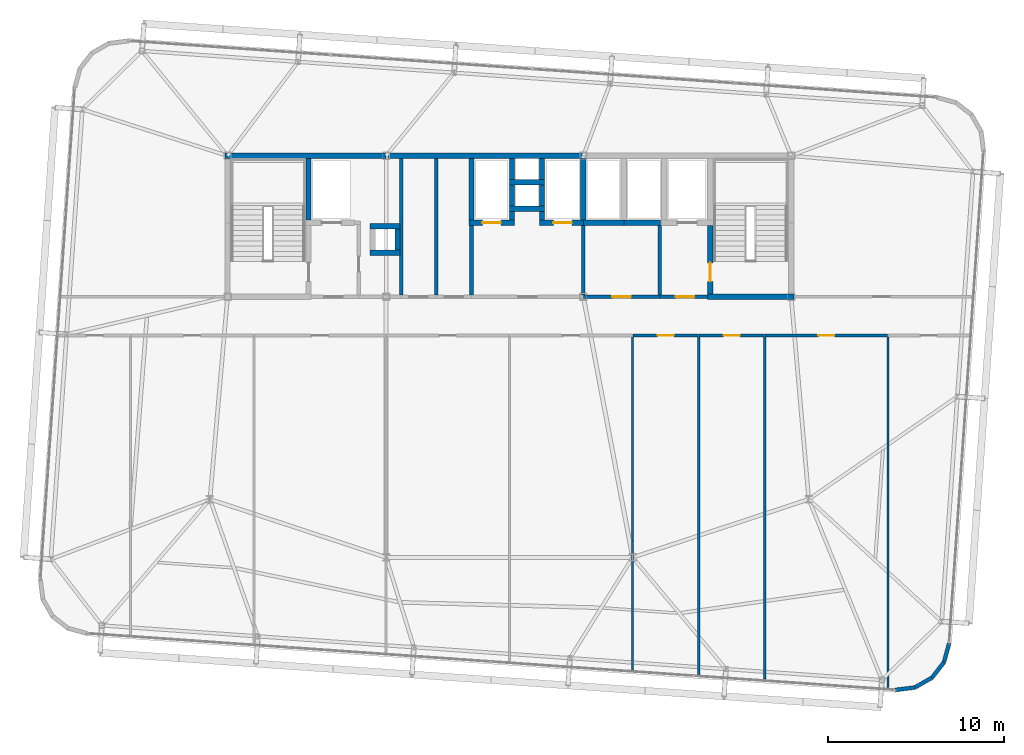
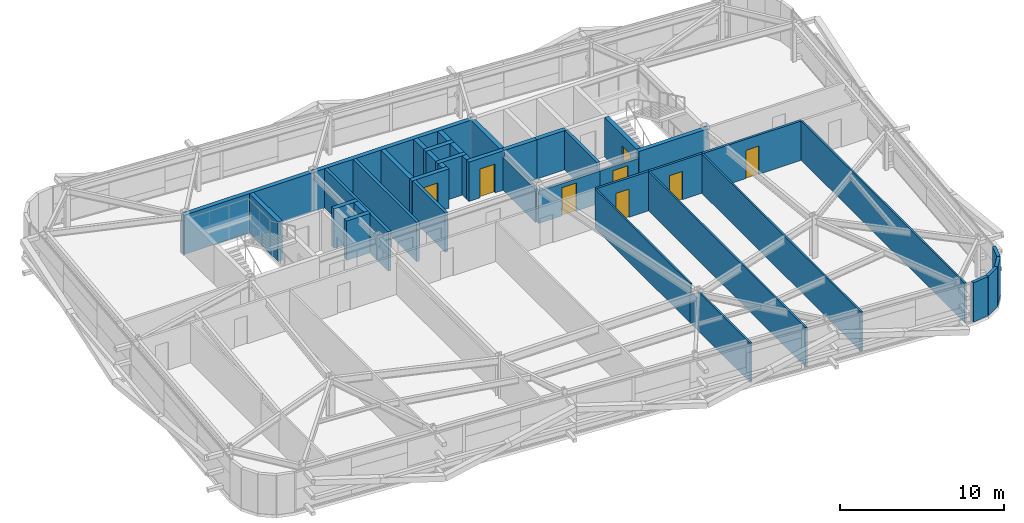
# One storey, part 36 of 39: 42 walls, 8 doors, 8 openings.
"""IFC4 building model written with IfcOpenShell, lengths in metres."""

from ifc_helpers import new_model, si_unit, direction, frame, frame_2d, origin, place, context, subcontext, project, spatial, rectangle, extrude, source, transform, mapped, material, layer, layer_set, type_object, element, fill, save


model = new_model("IFC4")

# Units and contexts
model_context = context("Model", 3, precision=1e-05, world=origin(), true_north=direction((0.0, 1.0)))
body_context = subcontext(model_context, "Body", "Model", "MODEL_VIEW")
ifc_project = project(units=[si_unit("LENGTHUNIT", "METRE"), si_unit("AREAUNIT", "SQUARE_METRE"), si_unit("VOLUMEUNIT", "CUBIC_METRE"), si_unit("PLANEANGLEUNIT", "RADIAN"), si_unit("MASSUNIT", "GRAM", prefix="KILO")], contexts=[model_context])

# Site, building, storey
site_placement = place(None, origin())
site = spatial("IfcSite", under=ifc_project, at=site_placement, CompositionType="ELEMENT")
building_placement = place(site_placement, origin())
building = spatial("IfcBuilding", under=site, at=building_placement, Name="Taldren Reach Tower", CompositionType="ELEMENT")
storey_placement = place(building_placement, frame((0.0, 0.0, 155.050048828125)))
storey = spatial("IfcBuildingStorey", under=building, at=storey_placement, Name="L47", CompositionType="ELEMENT", Elevation=155.050048828125)

# Walls
ifc_material_1 = material(Name="Pale Champagne Anodised Aluminium Cladding", Category="aluminium")
ifc_layer_1 = layer(ifc_material_1, 0.04, Name="Pale Champagne Anodised Aluminium Cladding", Category="aluminium")
ifc_material_2 = material(Name="Mineral Wool Acoustic Insulation", Category="insulation")
ifc_layer_2 = layer(ifc_material_2, 0.06, Name="Mineral Wool Acoustic Insulation", Category="insulation")
ifc_material_3 = material(Name="Steel Gr 350 (C350L0)", Category="steel")
ifc_layer_3 = layer(ifc_material_3, 0.12, Name="Steel Gr 350 (C350L0)", Category="steel")
ifc_layer_set_1 = layer_set([ifc_layer_1, ifc_layer_2, ifc_layer_3], Name="Pale Champagne Aluminium Cladding and Steel Gr 350 Stud Framing")
wall_type_1 = type_object("IfcWallType", Name="EW-CRN-220", PredefinedType="SOLIDWALL", material=ifc_layer_set_1)
shared_shape_1 = source(origin(), body_context, "Body", "SweptSolid", [
    extrude(rectangle(XDim=1.115966796875, YDim=0.219970703125, at=frame_2d((0.55810546875, 0.0))), origin(), (0.0, 0.0, 1.0), 2.929931640625),
])
for number, where, z_axis, x_axis, name in (
    (1, (58.02490234375, 1.8173828125, 0.0), (0.0, 0.0, 1.0), (0.868095010314, 0.496398079235, 0.0), "Rounded-corner pale-metal facade wall L47-SE2"),
    (2, (58.99365234375, 2.371337890625, 0.0), (0.0, 0.0, 1.0), (0.612318787668, 0.790610967714, 0.0), "Rounded-corner pale-metal facade wall L47-SE3"),
    (3, (59.677001953125, 3.253662109375, 0.0), (0.0, 0.0, 1.0), (0.262969307856, 0.964804199372, 0.0), "Rounded-corner pale-metal facade wall L47-SE4"),
):
    element("IfcWall", number, at=place(storey_placement, frame(where, z_axis=z_axis, x_axis=x_axis)), inside=storey, type_object=wall_type_1, Name=name, PredefinedType="SOLIDWALL", context=body_context, shape_type="MappedRepresentation", body=[
        mapped(shared_shape_1, transform((0.0, 0.0, 0.0), scale=1.0)),
    ])
shared_shape_2 = source(origin(), body_context, "Body", "SweptSolid", [
    extrude(rectangle(XDim=1.11572265625, YDim=0.219970703125, at=frame_2d((0.557861328125, 0.0))), origin(), (0.0, 0.0, 1.0), 2.929931640625),
])
wall_1_placement = place(storey_placement, frame((56.91796875, 1.6767578125, 0.0), z_axis=(0.0, 0.0, 1.0), x_axis=(0.99202678349, 0.126027222605, 0.0)))
element("IfcWall", 4, at=wall_1_placement, inside=storey, type_object=wall_type_1, Name="Rounded-corner pale-metal facade wall L47-SE1", PredefinedType="SOLIDWALL", context=body_context, shape_type="MappedRepresentation", body=[
    mapped(shared_shape_2, transform((0.0, 0.0, 0.0), scale=1.0)),
])

# Wall, opening, door
ifc_material_4 = material(Name="Concrete S50 (50 MPa)", Category="concrete")
ifc_layer_4 = layer(ifc_material_4, 0.199951171875)
ifc_layer_set_2 = layer_set([ifc_layer_4], Name="Concrete S50 (50 MPa)")
wall_type_2 = type_object("IfcWallType", Name="IW-CORE-200", PredefinedType="SOLIDWALL", material=ifc_layer_set_2)
shared_shape_3 = source(origin(), body_context, "Body", "SweptSolid", [
    extrude(rectangle(XDim=4.35009765625, YDim=0.199951171875, at=frame_2d((2.175048828125, 0.0))), origin(), (0.0, 0.0, 1.0), 2.39697265625),
])
wall_2_placement = place(storey_placement, frame((43.550048828125, 24.0, 0.0), z_axis=(0.0, 0.0, 1.0), x_axis=(-1.0, 0.0, 0.0)))
wall_2 = element("IfcWall", 5, at=wall_2_placement, inside=storey, type_object=wall_type_2, Name="Rear Core Shear Wall W-INT-L47-041", PredefinedType="SOLIDWALL", context=body_context, shape_type="MappedRepresentation", body=[
    mapped(shared_shape_3, transform((0.0, 0.0, 0.0), scale=1.0)),
])
shared_shape_4 = source(origin(), body_context, "Body", "SweptSolid", [
    extrude(rectangle(XDim=1.050048828125, YDim=2.10009765625, at=frame_2d((0.52490234375, 1.050048828125))), frame((0.0, 0.10986328125, 0.0), z_axis=(0.0, -1.0, 0.0), x_axis=(1.0, 0.0, 0.0)), (0.0, 0.0, 1.0), 0.219970703125),
])
opening_1_placement = place(wall_2_placement, frame((1.64990234375, 0.0, 0.0)))
opening_1 = element("IfcOpeningElement", 6, at=opening_1_placement, cuts=wall_2, Name="Opening DF-105", PredefinedType="OPENING", context=body_context, shape_type="MappedRepresentation", body=[
    mapped(shared_shape_4, transform((0.0, 0.0, 0.0), scale=1.0)),
])
ifc_material_5 = material(Name="Fire-Rated Care and Stair Exit Door")
door_type_1 = type_object("IfcDoorType", Name="ID-FIRE-105", OperationType="NOTDEFINED", PredefinedType="DOOR", material=ifc_material_5)
shared_shape_5 = source(origin(), body_context, "Body", "SweptSolid", [
    extrude(rectangle(XDim=1.050048828125, YDim=2.10009765625, at=frame_2d((0.52490234375, 1.050048828125))), frame((0.0, 0.02490234375, 0.0), z_axis=(0.0, -1.0, 0.0), x_axis=(1.0, 0.0, 0.0)), (0.0, 0.0, 1.0), 0.050048828125),
])
door_1_placement = place(opening_1_placement, frame((1.050048828125, 0.0, 0.0), z_axis=(0.0, 0.0, 1.0), x_axis=(-1.0, 0.0, 0.0)))
door_1 = element("IfcDoor", 7, at=door_1_placement, inside=storey, type_object=door_type_1, Name="Interior Door DR-L47-008", OperationType="SINGLE_SWING_RIGHT", OverallHeight=2.10009765625, OverallWidth=1.050048828125, PredefinedType="DOOR", context=body_context, shape_type="MappedRepresentation", body=[
    mapped(shared_shape_5, transform((0.0, 0.0, 0.0), scale=1.0)),
])
fill(opening_1, door_1)

# Walls
ifc_material_6 = material(Name="Concrete S65 (65 MPa)", Category="concrete")
ifc_layer_5 = layer(ifc_material_6, 0.300048828125)
ifc_layer_set_3 = layer_set([ifc_layer_5], Name="Concrete S65 (65 MPa)")
wall_type_3 = type_object("IfcWallType", Name="IW-CORE-300", PredefinedType="SHEAR", material=ifc_layer_set_3)
shared_shape_6 = source(origin(), body_context, "Body", "SweptSolid", [
    extrude(rectangle(XDim=9.14990234375, YDim=0.300048828125, at=frame_2d((4.574951171875, 0.0))), origin(), (0.0, 0.0, 1.0), 2.929931640625),
])
wall_3_placement = place(storey_placement, frame((18.85009765625, 32.0, 0.0), z_axis=(0.0, 0.0, 1.0), x_axis=(1.0, 0.0, 0.0)))
element("IfcWall", 8, at=wall_3_placement, inside=storey, type_object=wall_type_3, Name="Rear Core Shear Wall W-CORE-L47-NORTH1", PredefinedType="SHEAR", context=body_context, shape_type="MappedRepresentation", body=[
    mapped(shared_shape_6, transform((0.0, 0.0, 0.0), scale=1.0)),
])
shared_shape_7 = source(origin(), body_context, "Body", "SweptSolid", [
    extrude(rectangle(XDim=11.199951171875, YDim=0.300048828125, at=frame_2d((5.60009765625, 0.0))), origin(), (0.0, 0.0, 1.0), 2.929931640625),
])
wall_4_placement = place(storey_placement, frame((28.0, 32.0, 0.0), z_axis=(0.0, 0.0, 1.0), x_axis=(1.0, 0.0, 0.0)))
element("IfcWall", 9, at=wall_4_placement, inside=storey, type_object=wall_type_3, Name="Rear Core Shear Wall W-CORE-L47-NORTH2", PredefinedType="SHEAR", context=body_context, shape_type="MappedRepresentation", body=[
    mapped(shared_shape_7, transform((0.0, 0.0, 0.0), scale=1.0)),
])
shared_shape_8 = source(origin(), body_context, "Body", "SweptSolid", [
    extrude(rectangle(XDim=3.5, YDim=0.300048828125, at=frame_2d((1.75, 0.0))), origin(), (0.0, 0.0, 1.0), 2.929931640625),
])
for number, where, z_axis, x_axis, name in (
    (10, (23.60009765625, 28.35009765625, 0.0), (0.0, 0.0, 1.0), (0.0, 1.0, 0.0), "Rear Core Shear Wall W-INT-L47-001"),
    (11, (32.85009765625, 31.85009765625, 0.0), (0.0, 0.0, 1.0), (0.0, -1.0, 0.0), "Rear Core Shear Wall W-INT-L47-026"),
    (12, (39.199951171875, 28.35009765625, 0.0), (0.0, 0.0, 1.0), (0.0, 1.0, 0.0), "Rear Core Shear Wall W-INT-L47-029"),
):
    element("IfcWall", number, at=place(storey_placement, frame(where, z_axis=z_axis, x_axis=x_axis)), inside=storey, type_object=wall_type_3, Name=name, PredefinedType="SHEAR", context=body_context, shape_type="MappedRepresentation", body=[
        mapped(shared_shape_8, transform((0.0, 0.0, 0.0), scale=1.0)),
    ])

# Wall, opening, door
shared_shape_9 = source(origin(), body_context, "Body", "SweptSolid", [
    extrude(rectangle(XDim=3.900146484375, YDim=0.300048828125, at=frame_2d((1.9501953125, 0.0))), origin(), (0.0, 0.0, 1.0), 2.929931640625),
])
wall_5_placement = place(storey_placement, frame((46.39990234375, 28.050048828125, 0.0), z_axis=(0.0, 0.0, 1.0), x_axis=(0.0, -1.0, 0.0)))
wall_5 = element("IfcWall", 13, at=wall_5_placement, inside=storey, type_object=wall_type_3, Name="Rear Core Shear Wall W-INT-L47-008", PredefinedType="SHEAR", context=body_context, shape_type="MappedRepresentation", body=[
    mapped(shared_shape_9, transform((0.0, 0.0, 0.0), scale=1.0)),
])
shared_shape_10 = source(origin(), body_context, "Body", "SweptSolid", [
    extrude(rectangle(XDim=1.050048828125, YDim=2.10009765625, at=frame_2d((0.52490234375, 1.050048828125))), frame((0.0, 0.16015625, 0.0), z_axis=(0.0, -1.0, 0.0), x_axis=(1.0, 0.0, 0.0)), (0.0, 0.0, 1.0), 0.320068359375),
])
opening_2_placement = place(wall_5_placement, frame((2.125, 0.0, 0.0)))
opening_2 = element("IfcOpeningElement", 14, at=opening_2_placement, cuts=wall_5, Name="Opening DF-105", PredefinedType="OPENING", context=body_context, shape_type="MappedRepresentation", body=[
    mapped(shared_shape_10, transform((0.0, 0.0, 0.0), scale=1.0)),
])
door_2_placement = place(opening_2_placement, origin())
door_2 = element("IfcDoor", 15, at=door_2_placement, inside=storey, type_object=door_type_1, Name="Fire Exit Stair Door DR-L47-003", OperationType="SINGLE_SWING_RIGHT", OverallHeight=2.10009765625, OverallWidth=1.050048828125, PredefinedType="DOOR", context=body_context, shape_type="MappedRepresentation", body=[
    mapped(shared_shape_5, transform((0.0, 0.0, 0.0), scale=1.0)),
])
fill(opening_2, door_2)

# Walls
shared_shape_11 = source(origin(), body_context, "Body", "SweptSolid", [
    extrude(rectangle(XDim=4.89990234375, YDim=0.300048828125, at=frame_2d((2.449951171875, 0.0))), origin(), (0.0, 0.0, 1.0), 2.929931640625),
])
wall_6_placement = place(storey_placement, frame((46.25, 24.0, 0.0), z_axis=(0.0, 0.0, 1.0), x_axis=(1.0, 0.0, 0.0)))
element("IfcWall", 16, at=wall_6_placement, inside=storey, type_object=wall_type_3, Name="Rear Core Shear Wall W-INT-L47-009", PredefinedType="SHEAR", context=body_context, shape_type="MappedRepresentation", body=[
    mapped(shared_shape_11, transform((0.0, 0.0, 0.0), scale=1.0)),
])
shared_shape_12 = source(origin(), body_context, "Body", "SweptSolid", [
    extrude(rectangle(XDim=3.949951171875, YDim=0.199951171875, at=frame_2d((1.97509765625, 0.0))), origin(), (0.0, 0.0, 1.0), 2.929931640625),
])
for number, where, z_axis, x_axis, name in (
    (17, (43.550048828125, 28.050048828125, 0.0), (0.0, 0.0, 1.0), (0.0, -1.0, 0.0), "Rear Core Shear Wall W-INT-L47-012"),
    (18, (32.85009765625, 24.10009765625, 0.0), (0.0, 0.0, 1.0), (0.0, 1.0, 0.0), "Rear Core Shear Wall W-INT-L47-030"),
):
    element("IfcWall", number, at=place(storey_placement, frame(where, z_axis=z_axis, x_axis=x_axis)), inside=storey, type_object=wall_type_2, Name=name, PredefinedType="SOLIDWALL", context=body_context, shape_type="MappedRepresentation", body=[
        mapped(shared_shape_12, transform((0.0, 0.0, 0.0), scale=1.0)),
    ])

# Wall, opening, door
shared_shape_13 = source(origin(), body_context, "Body", "SweptSolid", [
    extrude(rectangle(XDim=2.699951171875, YDim=0.199951171875, at=frame_2d((1.35009765625, 0.0))), origin(), (0.0, 0.0, 1.0), 2.39697265625),
])
wall_7_placement = place(storey_placement, frame((43.550048828125, 24.0, 0.0), z_axis=(0.0, 0.0, 1.0), x_axis=(1.0, 0.0, 0.0)))
wall_7 = element("IfcWall", 19, at=wall_7_placement, inside=storey, type_object=wall_type_2, Name="Rear Core Shear Wall W-INT-L47-013", PredefinedType="SOLIDWALL", context=body_context, shape_type="MappedRepresentation", body=[
    mapped(shared_shape_13, transform((0.0, 0.0, 0.0), scale=1.0)),
])
opening_3_placement = place(wall_7_placement, frame((0.89990234375, 0.0, 0.0)))
opening_3 = element("IfcOpeningElement", 20, at=opening_3_placement, cuts=wall_7, Name="Opening DF-105", PredefinedType="OPENING", context=body_context, shape_type="MappedRepresentation", body=[
    mapped(shared_shape_4, transform((0.0, 0.0, 0.0), scale=1.0)),
])
door_3_placement = place(opening_3_placement, origin())
door_3 = element("IfcDoor", 21, at=door_3_placement, inside=storey, type_object=door_type_1, Name="Interior Door DR-L47-004", OperationType="SINGLE_SWING_LEFT", OverallHeight=2.10009765625, OverallWidth=1.050048828125, PredefinedType="DOOR", context=body_context, shape_type="MappedRepresentation", body=[
    mapped(shared_shape_5, transform((0.0, 0.0, 0.0), scale=1.0)),
])
fill(opening_3, door_3)

# Walls
shared_shape_14 = source(origin(), body_context, "Body", "SweptSolid", [
    extrude(rectangle(XDim=2.0, YDim=0.300048828125, at=frame_2d((1.0, 0.0))), origin(), (0.0, 0.0, 1.0), 2.929931640625),
])
for number, where, z_axis, x_axis, name in (
    (22, (35.0, 30.5, 0.0), (0.0, 0.0, 1.0), (1.0, 0.0, 0.0), "Rear Core Shear Wall W-INT-L47-014"),
    (23, (35.0, 29.0, 0.0), (0.0, 0.0, 1.0), (1.0, 0.0, 0.0), "Rear Core Shear Wall W-INT-L47-019"),
):
    element("IfcWall", number, at=place(storey_placement, frame(where, z_axis=z_axis, x_axis=x_axis)), inside=storey, type_object=wall_type_3, Name=name, PredefinedType="SHEAR", context=body_context, shape_type="MappedRepresentation", body=[
        mapped(shared_shape_14, transform((0.0, 0.0, 0.0), scale=1.0)),
    ])
shared_shape_15 = source(origin(), body_context, "Body", "SweptSolid", [
    extrude(rectangle(XDim=1.2001953125, YDim=0.300048828125, at=frame_2d((0.60009765625, 0.0))), origin(), (0.0, 0.0, 1.0), 2.929931640625),
])
for number, where, z_axis, x_axis, name in (
    (24, (35.14990234375, 31.85009765625, 0.0), (0.0, 0.0, 1.0), (0.0, -1.0, 0.0), "Rear Core Shear Wall W-INT-L47-015"),
    (25, (36.85009765625, 30.64990234375, 0.0), (0.0, 0.0, 1.0), (0.0, 1.0, 0.0), "Rear Core Shear Wall W-INT-L47-016"),
    (26, (35.14990234375, 30.35009765625, 0.0), (0.0, 0.0, 1.0), (0.0, -1.0, 0.0), "Rear Core Shear Wall W-INT-L47-017"),
    (27, (36.85009765625, 29.14990234375, 0.0), (0.0, 0.0, 1.0), (0.0, 1.0, 0.0), "Rear Core Shear Wall W-INT-L47-018"),
    (28, (28.64990234375, 26.64990234375, 0.0), (0.0, 0.0, 1.0), (0.0, 1.0, 0.0), "Rear Core Shear Wall W-INT-L47-020"),
):
    element("IfcWall", number, at=place(storey_placement, frame(where, z_axis=z_axis, x_axis=x_axis)), inside=storey, type_object=wall_type_3, Name=name, PredefinedType="SHEAR", context=body_context, shape_type="MappedRepresentation", body=[
        mapped(shared_shape_15, transform((0.0, 0.0, 0.0), scale=1.0)),
    ])
shared_shape_16 = source(origin(), body_context, "Body", "SweptSolid", [
    extrude(rectangle(XDim=2.070068359375, YDim=0.300048828125, at=frame_2d((1.03515625, 0.0))), origin(), (0.0, 0.0, 1.0), 2.929931640625),
])
wall_8_placement = place(storey_placement, frame((41.5, 28.199951171875, 0.0), z_axis=(0.0, 0.0, 1.0), x_axis=(1.0, 0.0, 0.0)))
element("IfcWall", 29, at=wall_8_placement, inside=storey, type_object=wall_type_3, Name="Rear Core Shear Wall W-INT-L47-035", PredefinedType="SHEAR", context=body_context, shape_type="MappedRepresentation", body=[
    mapped(shared_shape_16, transform((0.0, 0.0, 0.0), scale=1.0)),
])
shared_shape_17 = source(origin(), body_context, "Body", "SweptSolid", [
    extrude(rectangle(XDim=0.5, YDim=0.300048828125, at=frame_2d((0.25, 0.0))), origin(), (0.0, 0.0, 1.0), 2.929931640625),
])
for number, where, z_axis, x_axis, name in (
    (30, (35.14990234375, 28.35009765625, 0.0), (0.0, 0.0, 1.0), (0.0, 1.0, 0.0), "Rear Core Shear Wall W-INT-L47-025"),
    (31, (36.85009765625, 28.85009765625, 0.0), (0.0, 0.0, 1.0), (0.0, -1.0, 0.0), "Rear Core Shear Wall W-INT-L47-028"),
):
    element("IfcWall", number, at=place(storey_placement, frame(where, z_axis=z_axis, x_axis=x_axis)), inside=storey, type_object=wall_type_3, Name=name, PredefinedType="SHEAR", context=body_context, shape_type="MappedRepresentation", body=[
        mapped(shared_shape_17, transform((0.0, 0.0, 0.0), scale=1.0)),
    ])

# Wall, opening, door
shared_shape_18 = source(origin(), body_context, "Body", "SweptSolid", [
    extrude(rectangle(XDim=2.60009765625, YDim=0.300048828125, at=frame_2d((1.300048828125, 0.0))), origin(), (0.0, 0.0, 1.0), 2.929931640625),
])
wall_9_placement = place(storey_placement, frame((32.699951171875, 28.199951171875, 0.0), z_axis=(0.0, 0.0, 1.0), x_axis=(1.0, 0.0, 0.0)))
wall_9 = element("IfcWall", 32, at=wall_9_placement, inside=storey, type_object=wall_type_3, Name="Rear Core Shear Wall W-INT-L47-024", PredefinedType="SHEAR", context=body_context, shape_type="MappedRepresentation", body=[
    mapped(shared_shape_18, transform((0.0, 0.0, 0.0), scale=1.0)),
])
shared_shape_19 = source(origin(), body_context, "Body", "SweptSolid", [
    extrude(rectangle(XDim=1.050048828125, YDim=2.14990234375, at=frame_2d((0.52490234375, 1.074951171875))), frame((0.0, 0.16015625, 0.0), z_axis=(0.0, -1.0, 0.0), x_axis=(1.0, 0.0, 0.0)), (0.0, 0.0, 1.0), 0.320068359375),
])
opening_4_placement = place(wall_9_placement, frame((0.77490234375, 0.0, 0.0)))
opening_4 = element("IfcOpeningElement", 33, at=opening_4_placement, cuts=wall_9, Name="Opening LD-PM1", PredefinedType="OPENING", context=body_context, shape_type="MappedRepresentation", body=[
    mapped(shared_shape_19, transform((0.0, 0.0, 0.0), scale=1.0)),
])
ifc_material_7 = material(Name="Stainless Steel Gr 316 Passenger Lift Landing Door", Category="steel")
door_type_2 = type_object("IfcDoorType", Name="LD-PAS-105", OperationType="SLIDING_TO_LEFT", PredefinedType="DOOR", material=ifc_material_7)
shared_shape_20 = source(origin(), body_context, "Body", "SweptSolid", [
    extrude(rectangle(XDim=1.050048828125, YDim=2.14990234375, at=frame_2d((0.52490234375, 1.074951171875))), frame((0.0, 0.02490234375, 0.0), z_axis=(0.0, -1.0, 0.0), x_axis=(1.0, 0.0, 0.0)), (0.0, 0.0, 1.0), 0.050048828125),
])
door_4_placement = place(opening_4_placement, origin())
door_4 = element("IfcDoor", 34, at=door_4_placement, inside=storey, type_object=door_type_2, Name="Lift Landing Door LD-PM1-L47", OperationType="SLIDING_TO_LEFT", OverallHeight=2.14990234375, OverallWidth=1.050048828125, PredefinedType="DOOR", context=body_context, shape_type="MappedRepresentation", body=[
    mapped(shared_shape_20, transform((0.0, 0.0, 0.0), scale=1.0)),
])
fill(opening_4, door_4)

ifc_material_8 = material(Name="Fire-Rated Acoustic Plasterboard Stud Wall", Category="gypsum")
ifc_layer_6 = layer(ifc_material_8, 0.159912109375)
ifc_layer_set_4 = layer_set([ifc_layer_6], Name="Fire-Rated Acoustic Plasterboard Stud Wall")
wall_type_4 = type_object("IfcWallType", Name="IW-FIRE-160", PredefinedType="PARTITIONING", material=ifc_layer_set_4)
shared_shape_21 = source(origin(), body_context, "Body", "SweptSolid", [
    extrude(rectangle(XDim=3.70947265625, YDim=0.159912109375, at=frame_2d((1.854736328125, 0.0))), origin(), (0.0, 0.0, 1.0), 2.929931640625),
])
wall_10_placement = place(storey_placement, frame((45.729736328125, 21.800048828125, 0.0), z_axis=(0.0, 0.0, 1.0), x_axis=(-1.0, 0.0, 0.0)))
wall_10 = element("IfcWall", 35, at=wall_10_placement, inside=storey, type_object=wall_type_4, Name="Interior Partition Wall W-INT-L47-047", PredefinedType="PARTITIONING", context=body_context, shape_type="MappedRepresentation", body=[
    mapped(shared_shape_21, transform((0.0, 0.0, 0.0), scale=1.0)),
])
shared_shape_22 = source(origin(), body_context, "Body", "SweptSolid", [
    extrude(rectangle(XDim=0.919921875, YDim=2.10009765625, at=frame_2d((0.4599609375, 1.050048828125))), frame((0.0, 0.08984375, 0.0), z_axis=(0.0, -1.0, 0.0), x_axis=(1.0, 0.0, 0.0)), (0.0, 0.0, 1.0), 0.179931640625),
])
opening_5_placement = place(wall_10_placement, frame((1.394775390625, 0.0, 0.0)))
opening_5 = element("IfcOpeningElement", 36, at=opening_5_placement, cuts=wall_10, Name="Opening DI-092", PredefinedType="OPENING", context=body_context, shape_type="MappedRepresentation", body=[
    mapped(shared_shape_22, transform((0.0, 0.0, 0.0), scale=1.0)),
])
ifc_material_9 = material(Name="Solid-Core Timber Suite Door", Category="wood")
door_type_3 = type_object("IfcDoorType", Name="ID-INT-092", OperationType="NOTDEFINED", PredefinedType="DOOR", material=ifc_material_9)
shared_shape_23 = source(origin(), body_context, "Body", "SweptSolid", [
    extrude(rectangle(XDim=0.919921875, YDim=2.10009765625, at=frame_2d((0.4599609375, 1.050048828125))), frame((0.0, 0.02490234375, 0.0), z_axis=(0.0, -1.0, 0.0), x_axis=(1.0, 0.0, 0.0)), (0.0, 0.0, 1.0), 0.050048828125),
])
door_5_placement = place(opening_5_placement, origin())
door_5 = element("IfcDoor", 37, at=door_5_placement, inside=storey, type_object=door_type_3, Name="Interior Door DR-L47-014", OperationType="SINGLE_SWING_LEFT", OverallHeight=2.10009765625, OverallWidth=0.919921875, PredefinedType="DOOR", context=body_context, shape_type="MappedRepresentation", body=[
    mapped(shared_shape_23, transform((0.0, 0.0, 0.0), scale=1.0)),
])
fill(opening_5, door_5)

wall_11_placement = place(storey_placement, frame((49.479736328125, 21.800048828125, 0.0), z_axis=(0.0, 0.0, 1.0), x_axis=(-1.0, 0.0, 0.0)))
wall_11 = element("IfcWall", 38, at=wall_11_placement, inside=storey, type_object=wall_type_4, Name="Interior Partition Wall W-INT-L47-048", PredefinedType="PARTITIONING", context=body_context, shape_type="MappedRepresentation", body=[
    mapped(shared_shape_21, transform((0.0, 0.0, 0.0), scale=1.0)),
])
opening_6_placement = place(wall_11_placement, frame((1.394775390625, 0.0, 0.0)))
opening_6 = element("IfcOpeningElement", 39, at=opening_6_placement, cuts=wall_11, Name="Opening DI-092", PredefinedType="OPENING", context=body_context, shape_type="MappedRepresentation", body=[
    mapped(shared_shape_22, transform((0.0, 0.0, 0.0), scale=1.0)),
])
door_6_placement = place(opening_6_placement, origin())
door_6 = element("IfcDoor", 40, at=door_6_placement, inside=storey, type_object=door_type_3, Name="Interior Door DR-L47-015", OperationType="SINGLE_SWING_RIGHT", OverallHeight=2.10009765625, OverallWidth=0.919921875, PredefinedType="DOOR", context=body_context, shape_type="MappedRepresentation", body=[
    mapped(shared_shape_23, transform((0.0, 0.0, 0.0), scale=1.0)),
])
fill(opening_6, door_6)

# Walls
shared_shape_24 = source(origin(), body_context, "Body", "SweptSolid", [
    extrude(rectangle(XDim=1.699951171875, YDim=0.300048828125, at=frame_2d((0.85009765625, 0.0))), origin(), (0.0, 0.0, 1.0), 2.929931640625),
])
for number, where, z_axis, x_axis, name in (
    (41, (28.800048828125, 28.0, 0.0), (0.0, 0.0, 1.0), (-1.0, 0.0, 0.0), "Rear Core Shear Wall W-INT-L47-022"),
    (42, (27.10009765625, 26.5, 0.0), (0.0, 0.0, 1.0), (1.0, 0.0, 0.0), "Rear Core Shear Wall W-INT-L47-023"),
):
    element("IfcWall", number, at=place(storey_placement, frame(where, z_axis=z_axis, x_axis=x_axis)), inside=storey, type_object=wall_type_3, Name=name, PredefinedType="SHEAR", context=body_context, shape_type="MappedRepresentation", body=[
        mapped(shared_shape_24, transform((0.0, 0.0, 0.0), scale=1.0)),
    ])

# Wall, opening, door
shared_shape_25 = source(origin(), body_context, "Body", "SweptSolid", [
    extrude(rectangle(XDim=2.5, YDim=0.300048828125, at=frame_2d((1.25, 0.0))), origin(), (0.0, 0.0, 1.0), 2.929931640625),
])
wall_12_placement = place(storey_placement, frame((36.699951171875, 28.199951171875, 0.0), z_axis=(0.0, 0.0, 1.0), x_axis=(1.0, 0.0, 0.0)))
wall_12 = element("IfcWall", 43, at=wall_12_placement, inside=storey, type_object=wall_type_3, Name="Rear Core Shear Wall W-INT-L47-027", PredefinedType="SHEAR", context=body_context, shape_type="MappedRepresentation", body=[
    mapped(shared_shape_25, transform((0.0, 0.0, 0.0), scale=1.0)),
])
opening_7_placement = place(wall_12_placement, frame((0.794921875, 0.0, 0.0)))
opening_7 = element("IfcOpeningElement", 44, at=opening_7_placement, cuts=wall_12, Name="Opening LD-PM2", PredefinedType="OPENING", context=body_context, shape_type="MappedRepresentation", body=[
    mapped(shared_shape_19, transform((0.0, 0.0, 0.0), scale=1.0)),
])
door_7_placement = place(opening_7_placement, origin())
door_7 = element("IfcDoor", 45, at=door_7_placement, inside=storey, type_object=door_type_2, Name="Lift Landing Door LD-PM2-L47", OperationType="SLIDING_TO_LEFT", OverallHeight=2.14990234375, OverallWidth=1.050048828125, PredefinedType="DOOR", context=body_context, shape_type="MappedRepresentation", body=[
    mapped(shared_shape_20, transform((0.0, 0.0, 0.0), scale=1.0)),
])
fill(opening_7, door_7)

# Walls
shared_shape_26 = source(origin(), body_context, "Body", "SweptSolid", [
    extrude(rectangle(XDim=3.949951171875, YDim=0.199951171875, at=frame_2d((1.97509765625, 0.0))), origin(), (0.0, 0.0, 1.0), 2.469970703125),
])
wall_13_placement = place(storey_placement, frame((39.199951171875, 28.050048828125, 0.0), z_axis=(0.0, 0.0, 1.0), x_axis=(0.0, -1.0, 0.0)))
element("IfcWall", 46, at=wall_13_placement, inside=storey, type_object=wall_type_2, Name="Rear Core Shear Wall W-INT-L47-031", PredefinedType="SOLIDWALL", context=body_context, shape_type="MappedRepresentation", body=[
    mapped(shared_shape_26, transform((0.0, 0.0, 0.0), scale=1.0)),
])
shared_shape_27 = source(origin(), body_context, "Body", "SweptSolid", [
    extrude(rectangle(XDim=2.300048828125, YDim=0.300048828125, at=frame_2d((1.14990234375, 0.0))), origin(), (0.0, 0.0, 1.0), 2.929931640625),
])
wall_14_placement = place(storey_placement, frame((39.199951171875, 28.199951171875, 0.0), z_axis=(0.0, 0.0, 1.0), x_axis=(1.0, 0.0, 0.0)))
element("IfcWall", 47, at=wall_14_placement, inside=storey, type_object=wall_type_3, Name="Rear Core Shear Wall W-INT-L47-034", PredefinedType="SHEAR", context=body_context, shape_type="MappedRepresentation", body=[
    mapped(shared_shape_27, transform((0.0, 0.0, 0.0), scale=1.0)),
])
shared_shape_28 = source(origin(), body_context, "Body", "SweptSolid", [
    extrude(rectangle(XDim=7.75, YDim=0.199951171875, at=frame_2d((3.875, 0.0))), origin(), (0.0, 0.0, 1.0), 2.929931640625),
])
for number, where, z_axis, x_axis, name in (
    (48, (28.85009765625, 31.85009765625, 0.0), (0.0, 0.0, 1.0), (0.0, -1.0, 0.0), "Rear Core Shear Wall W-INT-L47-036"),
    (49, (30.85009765625, 31.85009765625, 0.0), (0.0, 0.0, 1.0), (0.0, -1.0, 0.0), "Rear Core Shear Wall W-INT-L47-038"),
):
    element("IfcWall", number, at=place(storey_placement, frame(where, z_axis=z_axis, x_axis=x_axis)), inside=storey, type_object=wall_type_2, Name=name, PredefinedType="SOLIDWALL", context=body_context, shape_type="MappedRepresentation", body=[
        mapped(shared_shape_28, transform((0.0, 0.0, 0.0), scale=1.0)),
    ])
ifc_material_10 = material(Name="Insulated Residential Stud Partition", Category="gypsum")
ifc_layer_7 = layer(ifc_material_10, 0.1201171875)
ifc_layer_set_5 = layer_set([ifc_layer_7], Name="Insulated Residential Stud Partition")
wall_type_5 = type_object("IfcWallType", Name="IW-PART-120", PredefinedType="PARTITIONING", material=ifc_layer_set_5)
shared_shape_29 = source(origin(), body_context, "Body", "SweptSolid", [
    extrude(rectangle(XDim=0.941650390625, YDim=0.1201171875, at=frame_2d((0.470703125, 0.0))), origin(), (0.0, 0.0, 1.0), 2.327880859375),
])
wall_15_placement = place(storey_placement, frame((42.0, 10.13037109375, 0.0), z_axis=(0.0, 0.0, 1.0), x_axis=(0.0, -1.0, 0.0)))
element("IfcWall", 50, at=wall_15_placement, inside=storey, type_object=wall_type_5, Name="Interior Partition Wall W-INT-L47-057 part 2", PredefinedType="PARTITIONING", context=body_context, shape_type="MappedRepresentation", body=[
    mapped(shared_shape_29, transform((0.0, 0.0, 0.0), scale=1.0)),
])

# Wall, opening, door
shared_shape_30 = source(origin(), body_context, "Body", "SweptSolid", [
    extrude(rectangle(XDim=6.95947265625, YDim=0.159912109375, at=frame_2d((3.479736328125, 0.0))), origin(), (0.0, 0.0, 1.0), 2.929931640625),
])
wall_16_placement = place(storey_placement, frame((56.479736328125, 21.800048828125, 0.0), z_axis=(0.0, 0.0, 1.0), x_axis=(-1.0, 0.0, 0.0)))
wall_16 = element("IfcWall", 51, at=wall_16_placement, inside=storey, type_object=wall_type_4, Name="Interior Partition Wall W-INT-L47-049", PredefinedType="PARTITIONING", context=body_context, shape_type="MappedRepresentation", body=[
    mapped(shared_shape_30, transform((0.0, 0.0, 0.0), scale=1.0)),
])
opening_8_placement = place(wall_16_placement, frame((3.019775390625, 0.0, 0.0)))
opening_8 = element("IfcOpeningElement", 52, at=opening_8_placement, cuts=wall_16, Name="Opening DI-092", PredefinedType="OPENING", context=body_context, shape_type="MappedRepresentation", body=[
    mapped(shared_shape_22, transform((0.0, 0.0, 0.0), scale=1.0)),
])
door_8_placement = place(opening_8_placement, origin())
door_8 = element("IfcDoor", 53, at=door_8_placement, inside=storey, type_object=door_type_3, Name="Interior Door DR-L47-016", OperationType="SINGLE_SWING_LEFT", OverallHeight=2.10009765625, OverallWidth=0.919921875, PredefinedType="DOOR", context=body_context, shape_type="MappedRepresentation", body=[
    mapped(shared_shape_23, transform((0.0, 0.0, 0.0), scale=1.0)),
])
fill(opening_8, door_8)

# Walls
shared_shape_31 = source(origin(), body_context, "Body", "SweptSolid", [
    extrude(rectangle(XDim=11.586669921875, YDim=0.1201171875, at=frame_2d((5.79345703125, 0.0))), origin(), (0.0, 0.0, 1.0), 2.929931640625),
])
wall_17_placement = place(storey_placement, frame((42.0, 21.717041015625, 0.0), z_axis=(0.0, 0.0, 1.0), x_axis=(0.0, -1.0, 0.0)))
element("IfcWall", 54, at=wall_17_placement, inside=storey, type_object=wall_type_5, Name="Interior Partition Wall W-INT-L47-057", PredefinedType="PARTITIONING", context=body_context, shape_type="MappedRepresentation", body=[
    mapped(shared_shape_31, transform((0.0, 0.0, 0.0), scale=1.0)),
])
shared_shape_32 = source(origin(), body_context, "Body", "SweptSolid", [
    extrude(rectangle(XDim=6.3701171875, YDim=0.1201171875, at=frame_2d((3.18505859375, 0.0))), origin(), (0.0, 0.0, 1.0), 2.929931640625),
])
wall_18_placement = place(storey_placement, frame((42.0, 9.188720703125, 0.0), z_axis=(0.0, 0.0, 1.0), x_axis=(0.0, -1.0, 0.0)))
element("IfcWall", 55, at=wall_18_placement, inside=storey, type_object=wall_type_5, Name="Interior Partition Wall W-INT-L47-057 part 3", PredefinedType="PARTITIONING", context=body_context, shape_type="MappedRepresentation", body=[
    mapped(shared_shape_32, transform((0.0, 0.0, 0.0), scale=1.0)),
])
shared_shape_33 = source(origin(), body_context, "Body", "SweptSolid", [
    extrude(rectangle(XDim=19.16650390625, YDim=0.1201171875, at=frame_2d((9.583251953125, 0.0))), origin(), (0.0, 0.0, 1.0), 2.929931640625),
])
wall_19_placement = place(storey_placement, frame((45.75, 21.719970703125, 0.0), z_axis=(0.0, 0.0, 1.0), x_axis=(0.0, -1.0, 0.0)))
element("IfcWall", 56, at=wall_19_placement, inside=storey, type_object=wall_type_5, Name="Interior Partition Wall W-INT-L47-058", PredefinedType="PARTITIONING", context=body_context, shape_type="MappedRepresentation", body=[
    mapped(shared_shape_33, transform((0.0, 0.0, 0.0), scale=1.0)),
])
shared_shape_34 = source(origin(), body_context, "Body", "SweptSolid", [
    extrude(rectangle(XDim=19.4248046875, YDim=0.1201171875, at=frame_2d((9.71240234375, 0.0))), origin(), (0.0, 0.0, 1.0), 2.929931640625),
])
wall_20_placement = place(storey_placement, frame((49.5, 21.718017578125, 0.0), z_axis=(0.0, 0.0, 1.0), x_axis=(0.0, -1.0, 0.0)))
element("IfcWall", 57, at=wall_20_placement, inside=storey, type_object=wall_type_5, Name="Interior Partition Wall W-INT-L47-059", PredefinedType="PARTITIONING", context=body_context, shape_type="MappedRepresentation", body=[
    mapped(shared_shape_34, transform((0.0, 0.0, 0.0), scale=1.0)),
])
shared_shape_35 = source(origin(), body_context, "Body", "SweptSolid", [
    extrude(rectangle(XDim=19.918212890625, YDim=0.1201171875, at=frame_2d((9.958984375, 0.0))), origin(), (0.0, 0.0, 1.0), 2.929931640625),
])
wall_21_placement = place(storey_placement, frame((56.5, 21.719970703125, 0.0), z_axis=(0.0, 0.0, 1.0), x_axis=(0.0, -1.0, 0.0)))
element("IfcWall", 58, at=wall_21_placement, inside=storey, type_object=wall_type_5, Name="Interior Partition Wall W-INT-L47-060", PredefinedType="PARTITIONING", context=body_context, shape_type="MappedRepresentation", body=[
    mapped(shared_shape_35, transform((0.0, 0.0, 0.0), scale=1.0)),
])

save(model, "model.ifc")
